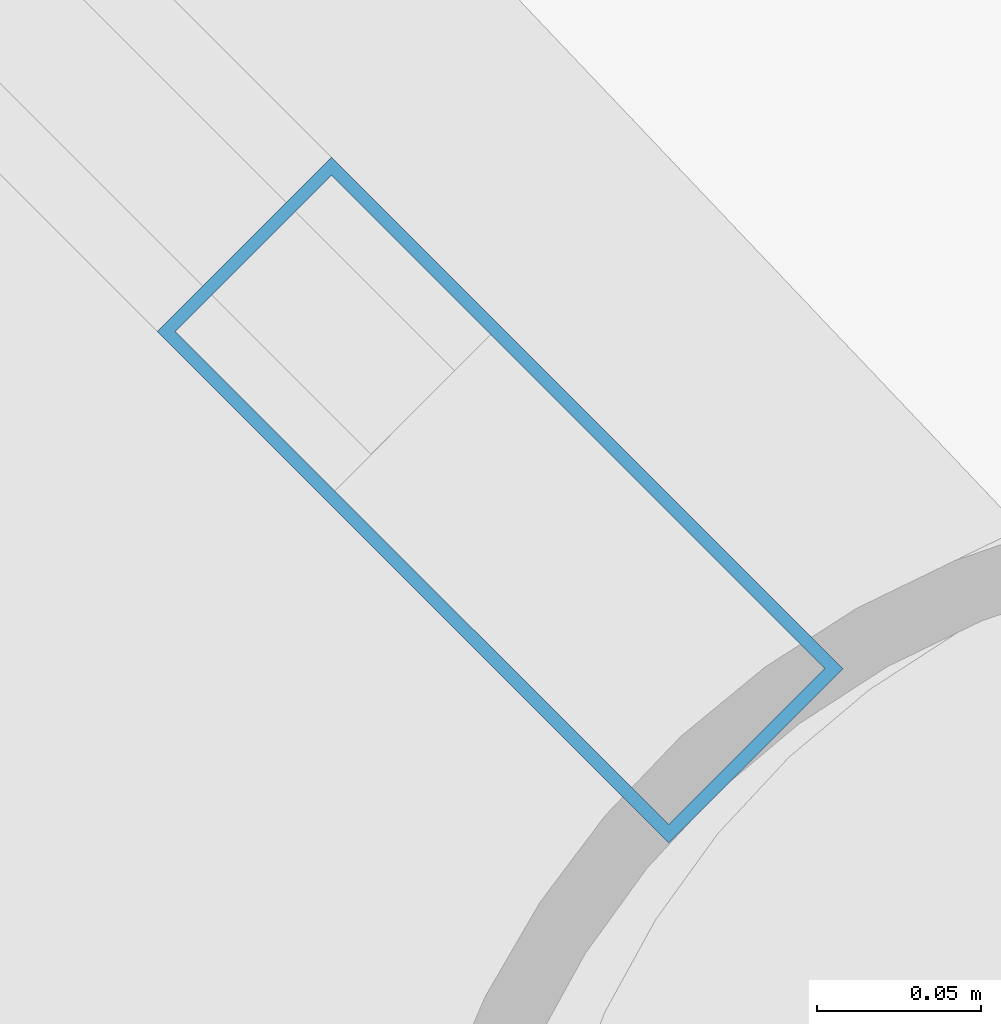
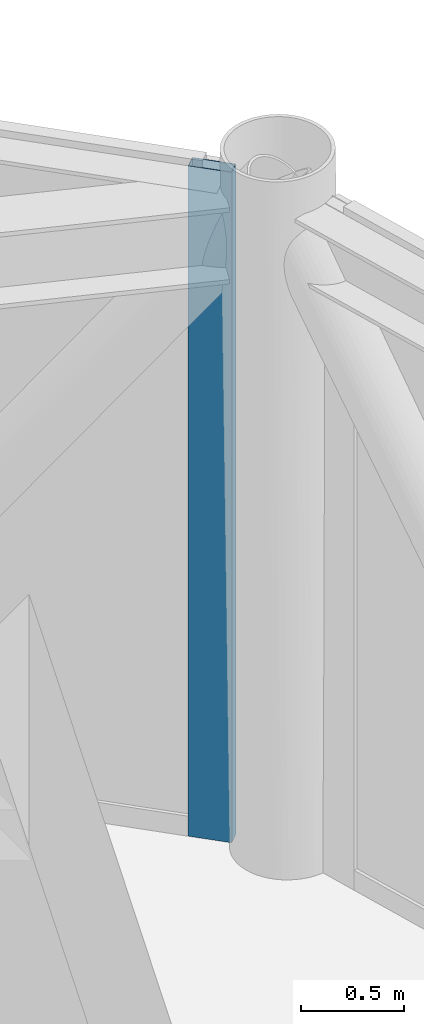
# One storey, part 13 of 20: 1 member, 1 element without a shape of its own.
"""IFC4 building model written with IfcOpenShell, lengths in metres."""

import ifcopenshell
import ifcopenshell.guid

model = None  # the IFC model being written
_history = None  # IfcOwnerHistory: only IFC2X3 demands one
_inside = {}  # id of a spatial element -> (the spatial element, [elements in it])
_under = {}  # id of a project, library or spatial element -> (it, [spatial elements below it])
_declared = {}  # id of a project -> (the project, [libraries it declares])
_typed = {}  # id of a type object -> (the type object, [elements of that type])
_made_of = {}  # id of a material, layer set ... -> (it, [elements and type objects made of it])


def new_model(schema):
    """Start an empty IFC model of exactly this schema.

    Asked for "IFC4X3", IfcOpenShell would pick the latest addendum, in which some entities
    have other attributes; the version numbers below select the first issue.
    IFC2X3 requires an IfcOwnerHistory on every rooted entity: one is made here for all.
    """
    global model, _history
    if schema == "IFC4X3":
        model = ifcopenshell.file(schema_version=(4, 3, 0, 0))
    else:
        model = ifcopenshell.file(schema=schema)
    _inside.clear()
    _under.clear()
    _declared.clear()
    _typed.clear()
    _made_of.clear()
    _history = None
    if model.schema == "IFC2X3":
        org = make("IfcOrganization", Name="unknown")
        user = make(
            "IfcPersonAndOrganization",
            ThePerson=make("IfcPerson", FamilyName="unknown"),
            TheOrganization=org,
        )
        app = make(
            "IfcApplication",
            ApplicationDeveloper=org,
            Version="unknown",
            ApplicationFullName="unknown",
            ApplicationIdentifier="unknown",
        )
        _history = make(
            "IfcOwnerHistory",
            OwningUser=user,
            OwningApplication=app,
            ChangeAction="ADDED",
            CreationDate=0,
        )
    return model


def make(cls, **values):
    """One entity of the class cls with the attributes given. An attribute that is None is left unset."""
    return model.create_entity(
        cls, **{name: value for name, value in values.items() if value is not None}
    )


def rooted(cls, **values):
    """An entity with a GlobalId (a new one), such as an element, a storey or a relation."""
    return make(cls, GlobalId=ifcopenshell.guid.new(), OwnerHistory=_history, **values)


def si_unit(unit_type, name, prefix=None):
    """IfcSIUnit, for example si_unit("LENGTHUNIT", "METRE", prefix="MILLI")."""
    return make("IfcSIUnit", UnitType=unit_type, Prefix=prefix, Name=name)


def assignment(units):
    """IfcUnitAssignment: the units of a project."""
    return None if units is None else make("IfcUnitAssignment", Units=units)


def point(xyz):
    """IfcCartesianPoint."""
    return None if xyz is None else make("IfcCartesianPoint", Coordinates=xyz)


def direction(xyz):
    """IfcDirection."""
    return None if xyz is None else make("IfcDirection", DirectionRatios=xyz)


def frame(location, z_axis=None, x_axis=None):
    """IfcAxis2Placement3D, a coordinate frame: its origin and axes. An axis left out is left unset."""
    return make(
        "IfcAxis2Placement3D",
        Location=point(location),
        Axis=direction(z_axis),
        RefDirection=direction(x_axis),
    )


def frame_2d(location, x_axis=None):
    """IfcAxis2Placement2D, a coordinate frame in the plane: its origin and x axis."""
    return make(
        "IfcAxis2Placement2D", Location=point(location), RefDirection=direction(x_axis)
    )


def origin():
    """The frame at (0, 0, 0) with its axes left unset."""
    return frame((0.0, 0.0, 0.0))


def origin_2d():
    """The frame at (0, 0) in the plane with its x axis left unset."""
    return frame_2d((0.0, 0.0))


def place(relative_to, where):
    """IfcLocalPlacement: puts the frame where relative to a parent placement (None: the world)."""
    return make(
        "IfcLocalPlacement", PlacementRelTo=relative_to, RelativePlacement=where
    )


def context(
    kind, dimensions, precision=None, world=None, true_north=None, identifier=None
):
    """IfcGeometricRepresentationContext, for example the 3D "Model" context."""
    return make(
        "IfcGeometricRepresentationContext",
        ContextIdentifier=identifier,
        ContextType=kind,
        CoordinateSpaceDimension=dimensions,
        Precision=precision,
        WorldCoordinateSystem=world,
        TrueNorth=true_north,
    )


def subcontext(parent, identifier, kind, view, scale=None):
    """IfcGeometricRepresentationSubContext, for example "Body" below "Model"."""
    return make(
        "IfcGeometricRepresentationSubContext",
        ContextIdentifier=identifier,
        ContextType=kind,
        ParentContext=parent,
        TargetScale=scale,
        TargetView=view,
    )


def project(units=None, contexts=None):
    """IfcProject with its units and contexts."""
    return rooted(
        "IfcProject",
        Name="project",
        RepresentationContexts=contexts,
        UnitsInContext=assignment(units),
    )


def spatial(cls, under=None, at=None, **own):
    """A site, building, storey or space (cls), placed at a placement, below another one or the project."""
    s = rooted(cls, ObjectPlacement=at, **own)
    if under is not None:
        _under.setdefault(under.id(), (under, []))[1].append(s)
    return s


def profile(cls, at=None, kind="AREA", **sizes):
    """A parametric profile (cls). Its sizes go by their IFC names, for example OverallWidth=200.0."""
    return make(cls, ProfileType=kind, Position=at, **sizes)


def hollow_rectangle(**sizes):
    """IfcRectangleHollowProfileDef."""
    return profile("IfcRectangleHollowProfileDef", **sizes)


def extrude(swept, where, along, depth):
    """IfcExtrudedAreaSolid: the profile swept, set in the frame where, extruded along a direction by depth."""
    return make(
        "IfcExtrudedAreaSolid",
        SweptArea=swept,
        Position=where,
        ExtrudedDirection=direction(along),
        Depth=depth,
    )


def shape(context_of_items, identifier, shape_type, items):
    """IfcShapeRepresentation: the items that make up one representation, for example the "Body"."""
    return make(
        "IfcShapeRepresentation",
        ContextOfItems=context_of_items,
        RepresentationIdentifier=identifier,
        RepresentationType=shape_type,
        Items=items,
    )


def material(Name=None, Category=None):
    """IfcMaterial."""
    return make("IfcMaterial", Name=Name, Category=Category)


def layer(
    of_material, thickness, ventilated=None, Name=None, Category=None, Priority=None
):
    """IfcMaterialLayer: one layer of a wall or slab, of a material (None: an air gap)."""
    return make(
        "IfcMaterialLayer",
        Material=of_material,
        LayerThickness=thickness,
        IsVentilated=ventilated,
        Name=Name,
        Category=Category,
        Priority=Priority,
    )


def layer_set(layers, Name=None):
    """IfcMaterialLayerSet."""
    return make("IfcMaterialLayerSet", MaterialLayers=layers, LayerSetName=Name)


def material_profile(
    of_material, cross_section, Name=None, Category=None, Priority=None
):
    """IfcMaterialProfile: a cross section and its material."""
    return make(
        "IfcMaterialProfile",
        Name=Name,
        Material=of_material,
        Profile=cross_section,
        Priority=Priority,
        Category=Category,
    )


def profile_set(profiles, Name=None, composite=None):
    """IfcMaterialProfileSet."""
    return make(
        "IfcMaterialProfileSet",
        Name=Name,
        MaterialProfiles=profiles,
        CompositeProfile=composite,
    )


def made_of(thing, what):
    """Note that an element or type object is made of a material, layer set ...; save() writes the relation."""
    if what is not None:
        _made_of.setdefault(what.id(), (what, []))[1].append(thing)
    return thing


def type_object(cls, material=None, **own):
    """A type object (cls), such as IfcWallType, which elements share."""
    return made_of(rooted(cls, **own), material)


def element(
    cls,
    number,
    at=None,
    inside=None,
    cuts=None,
    type_object=None,
    material=None,
    context=None,
    identifier="Body",
    shape_type=None,
    held_by="IfcProductDefinitionShape",
    body=None,
    shapes=None,
    **own,
):
    """One element of the class cls, such as IfcWall. Its Tag is "e" and its number.

    at: its placement. inside: the storey or other place that contains it. cuts: it is an
    opening in that element (IfcRelVoidsElement). A single representation is given by context,
    identifier, shape_type and body (its items); several are given by shapes. held_by: the class
    of the entity that holds the representations. save() writes the other relations.
    """
    e = rooted(cls, Tag="e%d" % number, ObjectPlacement=at, **own)
    if body is not None:
        shapes = [shape(context, identifier, shape_type, body)]
    if shapes is not None:
        e.Representation = make(held_by, Representations=shapes)
    if inside is not None:
        _inside.setdefault(inside.id(), (inside, []))[1].append(e)
    if cuts is not None:
        rooted(
            "IfcRelVoidsElement", RelatingBuildingElement=cuts, RelatedOpeningElement=e
        )
    if type_object is not None:
        _typed.setdefault(type_object.id(), (type_object, []))[1].append(e)
    return made_of(e, material)


def aggregate(whole, parts):
    """IfcRelAggregates: a whole, such as a stair, and the parts it consists of."""
    return rooted("IfcRelAggregates", RelatingObject=whole, RelatedObjects=parts)


def save(model, path):
    """Write the relations noted so far, then the file.

    IfcRelAggregates (storeys below a building ...), IfcRelContainedInSpatialStructure (elements
    in a storey), IfcRelDefinesByType, IfcRelAssociatesMaterial and IfcRelDeclares: one each for
    every whole, place, type object, material and project.
    """
    for whole, parts in _under.values():
        aggregate(whole, parts)
    for where, things in _inside.values():
        rooted(
            "IfcRelContainedInSpatialStructure",
            RelatedElements=things,
            RelatingStructure=where,
        )
    for kind, things in _typed.values():
        rooted("IfcRelDefinesByType", RelatedObjects=things, RelatingType=kind)
    for what, things in _made_of.values():
        rooted("IfcRelAssociatesMaterial", RelatedObjects=things, RelatingMaterial=what)
    for by, libraries in _declared.values():
        rooted("IfcRelDeclares", RelatingContext=by, RelatedDefinitions=libraries)
    model.write(path)


model = new_model("IFC4")

# Units and contexts
model_context = context("Model", 3, precision=1e-05, world=origin(), true_north=direction((0.0, 1.0)))
body_context = subcontext(model_context, "Body", "Model", "MODEL_VIEW")
ifc_project = project(units=[si_unit("LENGTHUNIT", "METRE"), si_unit("AREAUNIT", "SQUARE_METRE"), si_unit("VOLUMEUNIT", "CUBIC_METRE"), si_unit("PLANEANGLEUNIT", "RADIAN"), si_unit("MASSUNIT", "GRAM", prefix="KILO")], contexts=[model_context])

# Site, building, storey
site_placement = place(None, origin())
site = spatial("IfcSite", under=ifc_project, at=site_placement, CompositionType="ELEMENT")
building_placement = place(site_placement, origin())
building = spatial("IfcBuilding", under=site, at=building_placement, Name="Varnakorn Sky Granary", CompositionType="ELEMENT")
storey_placement = place(building_placement, frame((0.0, 0.0, 302.39990234375)))
storey = spatial("IfcBuildingStorey", under=building, at=storey_placement, Name="L77", CompositionType="ELEMENT", Elevation=302.39990234375)

# Curtain wall, member
ifc_material = material(Name="Anodised Bronze Aluminium Alloy 6063-T6", Category="aluminium")
ifc_layer = layer(ifc_material, 0.22998046875, Name="Anodised Bronze Aluminium Alloy 6063-T6")
ifc_layer_set = layer_set([ifc_layer], Name="Anodised Bronze Aluminium Alloy 6063-T6")
curtain_wall_type = type_object("IfcCurtainWallType", Name="CW-LNT-1", PredefinedType="USERDEFINED", material=ifc_layer_set)
curtain_wall_placement = place(storey_placement, origin())
curtain_wall = element("IfcCurtainWall", 1, at=curtain_wall_placement, inside=storey, type_object=curtain_wall_type, Name="Unitised Curtain Wall CW7 CW-L77-B02", ObjectType="CURTAIN WALL", PredefinedType="USERDEFINED")
ifc_material_profile = material_profile(ifc_material, hollow_rectangle(XDim=0.074951171875, YDim=0.219970703125, WallThickness=0.00390625, at=origin_2d()), Name="ALU MULL 75x220")
ifc_profile_set = profile_set([ifc_material_profile], Name="Anodised Bronze Aluminium Alloy 6063-T6")
member_type = type_object("IfcMemberType", Name="CW-LNT-1-MULL", PredefinedType="MULLION", material=ifc_profile_set)
member_placement = place(storey_placement, frame((19.615966796875, 8.94189453125, 0.0), z_axis=(0.0, 0.0, 1.0), x_axis=(0.706962264777, 0.707251268066, 0.0)))
member = element("IfcMember", 2, at=member_placement, type_object=member_type, Name="CW7 mullion 5", PredefinedType="MULLION", context=body_context, shape_type="SweptSolid", body=[
    extrude(hollow_rectangle(XDim=0.074951171875, YDim=0.219970703125, WallThickness=0.00390625, at=origin_2d()), origin(), (0.0, 0.0, 1.0), 3.960205078125),
])
aggregate(curtain_wall, [member])

save(model, "model.ifc")
